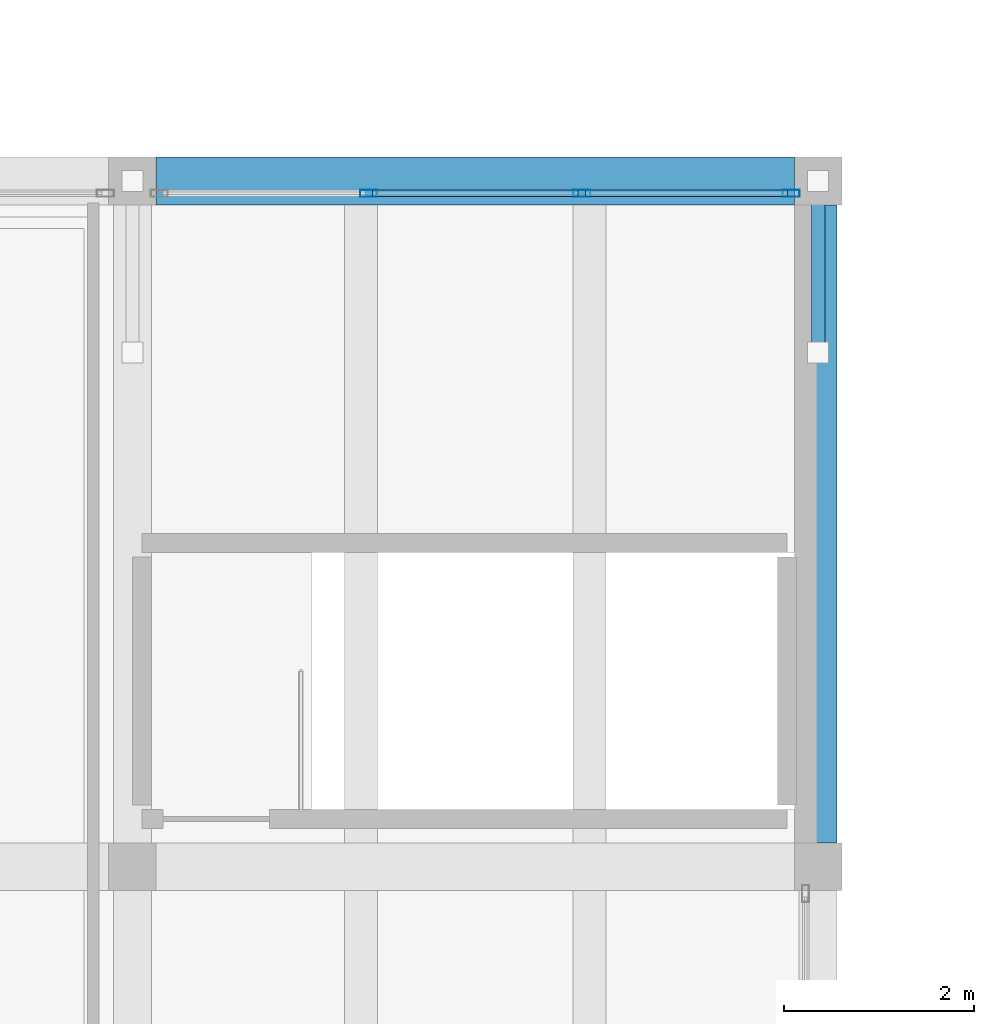
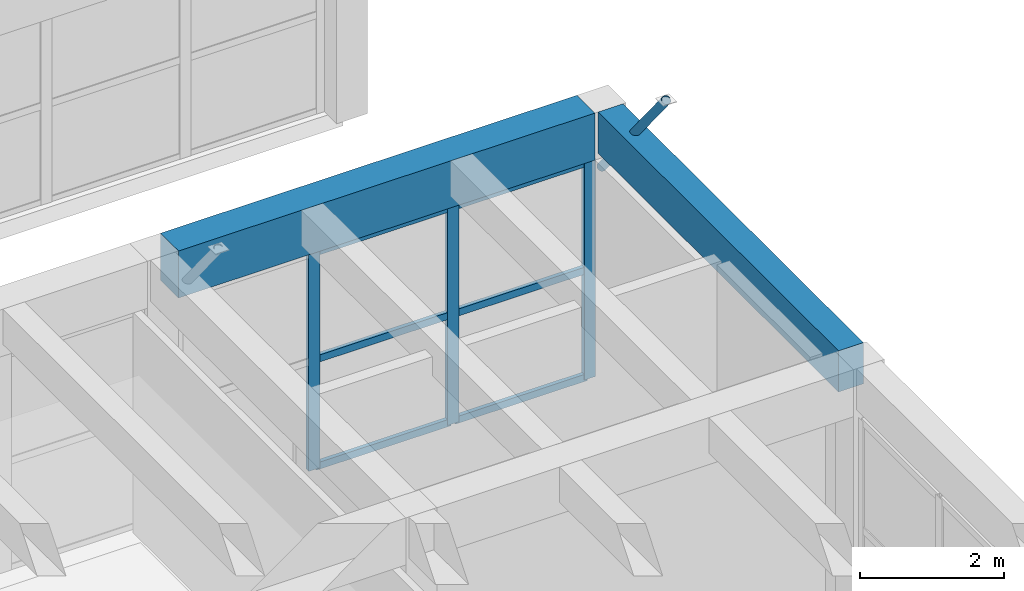
# One storey, part 99 of 153: 10 members, 2 beams, 1 element without a shape of its own.
"""IFC4 building model written with IfcOpenShell, lengths in metres."""

from ifc_helpers import new_model, si_unit, direction, frame, origin, origin_2d, place, context, subcontext, project, spatial, rectangle, hollow_rectangle, hollow_circle, extrude, material, material_profile, profile_set, type_object, element, aggregate, save


model = new_model("IFC4")

# Units and contexts
model_context = context("Model", 3, precision=1e-05, world=origin(), true_north=direction((0.0, 1.0)))
body_context = subcontext(model_context, "Body", "Model", "MODEL_VIEW")
ifc_project = project(units=[si_unit("LENGTHUNIT", "METRE"), si_unit("AREAUNIT", "SQUARE_METRE"), si_unit("VOLUMEUNIT", "CUBIC_METRE"), si_unit("PLANEANGLEUNIT", "RADIAN"), si_unit("MASSUNIT", "GRAM", prefix="KILO")], contexts=[model_context])

# Site, building, storey
site_placement = place(None, origin())
site = spatial("IfcSite", under=ifc_project, at=site_placement, CompositionType="ELEMENT")
building_placement = place(site_placement, origin())
building = spatial("IfcBuilding", under=site, at=building_placement, Name="Bramvelor Terrace Health Centre", CompositionType="ELEMENT")
storey_placement = place(building_placement, frame((0.0, 0.0, 4.800048828125)))
storey = spatial("IfcBuildingStorey", under=building, at=storey_placement, Name="L02", CompositionType="ELEMENT", Elevation=4.800048828125)

# Beams
ifc_material_1 = material(Name="Concrete C40/50", Category="concrete")
ifc_material_profile_1 = material_profile(ifc_material_1, rectangle(XDim=0.39990234375, YDim=0.699951171875, at=origin_2d()), Name="RC 400x700")
ifc_profile_set_1 = profile_set([ifc_material_profile_1], Name="Concrete C40/50")
beam_type_1 = type_object("IfcBeamType", Name="BM-RC-G700", PredefinedType="BEAM", material=ifc_profile_set_1)
beam_1_placement = place(storey_placement, frame((93.60009765625, 72.25, 4.199951171875), z_axis=(0.0, 1.0, 0.0), x_axis=(-1.0, 0.0, 0.0)))
element("IfcBeam", 1, at=beam_1_placement, inside=storey, type_object=beam_type_1, Name="L02 Floor Girder", PredefinedType="BEAM", context=body_context, shape_type="SweptSolid", body=[
    extrude(rectangle(XDim=0.39990234375, YDim=0.699951171875, at=origin_2d()), origin(), (0.0, 0.0, 1.0), 6.699951171875),
])
ifc_material_2 = material(Name="Concrete C40/50", Category="concrete")
ifc_material_profile_2 = material_profile(ifc_material_2, rectangle(XDim=0.5, YDim=0.800048828125, at=origin_2d()), Name="RC 500x800")
ifc_profile_set_2 = profile_set([ifc_material_profile_2], Name="Concrete C40/50")
beam_type_2 = type_object("IfcBeamType", Name="BM-RC-G800", PredefinedType="BEAM", material=ifc_profile_set_2)
beam_2_placement = place(storey_placement, frame((86.64990234375, 79.199951171875, 4.14990234375), z_axis=(1.0, 0.0, 0.0), x_axis=(0.0, 1.0, 0.0)))
element("IfcBeam", 2, at=beam_2_placement, inside=storey, type_object=beam_type_2, Name="L02 Floor Girder", PredefinedType="BEAM", context=body_context, shape_type="SweptSolid", body=[
    extrude(rectangle(XDim=0.5, YDim=0.800048828125, at=origin_2d()), origin(), (0.0, 0.0, 1.0), 6.7001953125),
])

# Curtain wall, members
ifc_material_3 = material(Name="Anodized aluminium and double low-E glass", Category="aluminium")
curtain_wall_type = type_object("IfcCurtainWallType", Name="CW-SYS-17", PredefinedType="NOTDEFINED", material=ifc_material_3)
curtain_wall_placement = place(storey_placement, origin())
curtain_wall = element("IfcCurtainWall", 3, at=curtain_wall_placement, inside=storey, type_object=curtain_wall_type, Name="L02 Unitized Curtain Wall 96", PredefinedType="NOTDEFINED")
ifc_material_4 = material(Name="Anodized aluminium 6063-T6", Category="aluminium")
ifc_material_profile_3 = material_profile(ifc_material_4, hollow_rectangle(XDim=0.074951171875, YDim=0.179931640625, WallThickness=0.00341796875, at=origin_2d()), Name="ALU-MUL 75x180x3.5")
ifc_profile_set_3 = profile_set([ifc_material_profile_3], Name="Anodized aluminium 6063-T6")
member_type_1 = type_object("IfcMemberType", Name="CW-MUL-65x180", PredefinedType="MULLION", material=ifc_profile_set_3)
member_1_placement = place(storey_placement, frame((88.881591796875, 79.070068359375, 0.0), z_axis=(0.0, 0.0, 1.0), x_axis=(0.0, 1.0, 0.0)))
member_1 = element("IfcMember", 4, at=member_1_placement, type_object=member_type_1, Name="CW-17 mullion 2", PredefinedType="MULLION", context=body_context, shape_type="SweptSolid", body=[
    extrude(hollow_rectangle(XDim=0.074951171875, YDim=0.179931640625, WallThickness=0.00341796875, at=origin_2d()), origin(), (0.0, 0.0, 1.0), 3.7099609375),
])
member_2_placement = place(storey_placement, frame((91.118408203125, 79.070068359375, 0.0), z_axis=(0.0, 0.0, 1.0), x_axis=(0.0, 1.0, 0.0)))
member_2 = element("IfcMember", 5, at=member_2_placement, type_object=member_type_1, Name="CW-17 mullion 3", PredefinedType="MULLION", context=body_context, shape_type="SweptSolid", body=[
    extrude(hollow_rectangle(XDim=0.074951171875, YDim=0.179931640625, WallThickness=0.00341796875, at=origin_2d()), origin(), (0.0, 0.0, 1.0), 3.7099609375),
])
member_3_placement = place(storey_placement, frame((93.3173828125, 79.070068359375, 0.0), z_axis=(0.0, 0.0, 1.0), x_axis=(0.0, 1.0, 0.0)))
member_3 = element("IfcMember", 6, at=member_3_placement, type_object=member_type_1, Name="CW-17 mullion 4", PredefinedType="MULLION", context=body_context, shape_type="SweptSolid", body=[
    extrude(hollow_rectangle(XDim=0.074951171875, YDim=0.179931640625, WallThickness=0.00341796875, at=origin_2d()), origin(), (0.0, 0.0, 1.0), 3.7099609375),
])
ifc_material_5 = material(Name="Anodized aluminium 6063-T6", Category="aluminium")
ifc_material_profile_4 = material_profile(ifc_material_5, hollow_rectangle(XDim=0.06494140625, YDim=0.1201171875, WallThickness=0.0029296875, at=origin_2d()), Name="ALU-TRN 65x120x3.0")
ifc_profile_set_4 = profile_set([ifc_material_profile_4], Name="Anodized aluminium 6063-T6")
member_type_2 = type_object("IfcMemberType", Name="CW-TRN-65x150", PredefinedType="USERDEFINED", material=ifc_profile_set_4)
member_4_placement = place(storey_placement, frame((88.919189453125, 79.070068359375, 0.032470703125), z_axis=(1.0, 0.0, 0.0), x_axis=(0.0, 1.0, 0.0)))
member_4 = element("IfcMember", 7, at=member_4_placement, type_object=member_type_2, Name="CW-17 transom 2.1", ObjectType="TRANSOM", PredefinedType="USERDEFINED", context=body_context, shape_type="SweptSolid", body=[
    extrude(hollow_rectangle(XDim=0.06494140625, YDim=0.1201171875, WallThickness=0.0029296875, at=origin_2d()), origin(), (0.0, 0.0, 1.0), 2.16162109375),
])
member_5_placement = place(storey_placement, frame((88.919189453125, 79.070068359375, 1.85498046875), z_axis=(1.0, 0.0, 0.0), x_axis=(0.0, 1.0, 0.0)))
member_5 = element("IfcMember", 8, at=member_5_placement, type_object=member_type_2, Name="CW-17 transom 2.2", ObjectType="TRANSOM", PredefinedType="USERDEFINED", context=body_context, shape_type="SweptSolid", body=[
    extrude(hollow_rectangle(XDim=0.06494140625, YDim=0.1201171875, WallThickness=0.0029296875, at=origin_2d()), origin(), (0.0, 0.0, 1.0), 2.16162109375),
])
member_6_placement = place(storey_placement, frame((88.919189453125, 79.070068359375, 3.677490234375), z_axis=(1.0, 0.0, 0.0), x_axis=(0.0, 1.0, 0.0)))
member_6 = element("IfcMember", 9, at=member_6_placement, type_object=member_type_2, Name="CW-17 transom 2.3", ObjectType="TRANSOM", PredefinedType="USERDEFINED", context=body_context, shape_type="SweptSolid", body=[
    extrude(hollow_rectangle(XDim=0.06494140625, YDim=0.1201171875, WallThickness=0.0029296875, at=origin_2d()), origin(), (0.0, 0.0, 1.0), 2.16162109375),
])
member_7_placement = place(storey_placement, frame((91.15576171875, 79.070068359375, 0.032470703125), z_axis=(1.0, 0.0, 0.0), x_axis=(0.0, 1.0, 0.0)))
member_7 = element("IfcMember", 10, at=member_7_placement, type_object=member_type_2, Name="CW-17 transom 3.1", ObjectType="TRANSOM", PredefinedType="USERDEFINED", context=body_context, shape_type="SweptSolid", body=[
    extrude(hollow_rectangle(XDim=0.06494140625, YDim=0.1201171875, WallThickness=0.0029296875, at=origin_2d()), origin(), (0.0, 0.0, 1.0), 2.124267578125),
])
member_8_placement = place(storey_placement, frame((91.15576171875, 79.070068359375, 1.85498046875), z_axis=(1.0, 0.0, 0.0), x_axis=(0.0, 1.0, 0.0)))
member_8 = element("IfcMember", 11, at=member_8_placement, type_object=member_type_2, Name="CW-17 transom 3.2", ObjectType="TRANSOM", PredefinedType="USERDEFINED", context=body_context, shape_type="SweptSolid", body=[
    extrude(hollow_rectangle(XDim=0.06494140625, YDim=0.1201171875, WallThickness=0.0029296875, at=origin_2d()), origin(), (0.0, 0.0, 1.0), 2.124267578125),
])
member_9_placement = place(storey_placement, frame((91.15576171875, 79.070068359375, 3.677490234375), z_axis=(1.0, 0.0, 0.0), x_axis=(0.0, 1.0, 0.0)))
member_9 = element("IfcMember", 12, at=member_9_placement, type_object=member_type_2, Name="CW-17 transom 3.3", ObjectType="TRANSOM", PredefinedType="USERDEFINED", context=body_context, shape_type="SweptSolid", body=[
    extrude(hollow_rectangle(XDim=0.06494140625, YDim=0.1201171875, WallThickness=0.0029296875, at=origin_2d()), origin(), (0.0, 0.0, 1.0), 2.124267578125),
])
aggregate(curtain_wall, [member_1, member_2, member_3, member_4, member_5, member_6, member_7, member_8, member_9])

# Member
ifc_material_6 = material(Name="Steel S355J2", Category="steel")
ifc_material_profile_5 = material_profile(ifc_material_6, hollow_circle(Radius=0.06982421875, WallThickness=0.0048828125, at=origin_2d()), Name="CHS 139.7x5.0")
ifc_profile_set_5 = profile_set([ifc_material_profile_5], Name="Steel S355J2")
member_type_3 = type_object("IfcMemberType", Name="MEM-STL-CHS139", PredefinedType="STRUT", material=ifc_profile_set_5)
member_10_placement = place(storey_placement, frame((93.60009765625, 79.199951171875, 3.39990234375), z_axis=(0.0, -0.62952484871, 0.776980350367), x_axis=(1.0, 0.0, 0.0)))
element("IfcMember", 13, at=member_10_placement, inside=storey, type_object=member_type_3, Name="Waiting Hall Storm-Eave Knee Strut N8", PredefinedType="STRUT", context=body_context, shape_type="SweptSolid", body=[
    extrude(hollow_circle(Radius=0.06982421875, WallThickness=0.0048828125, at=origin_2d()), origin(), (0.0, 0.0, 1.0), 2.859375),
])

save(model, "model.ifc")
